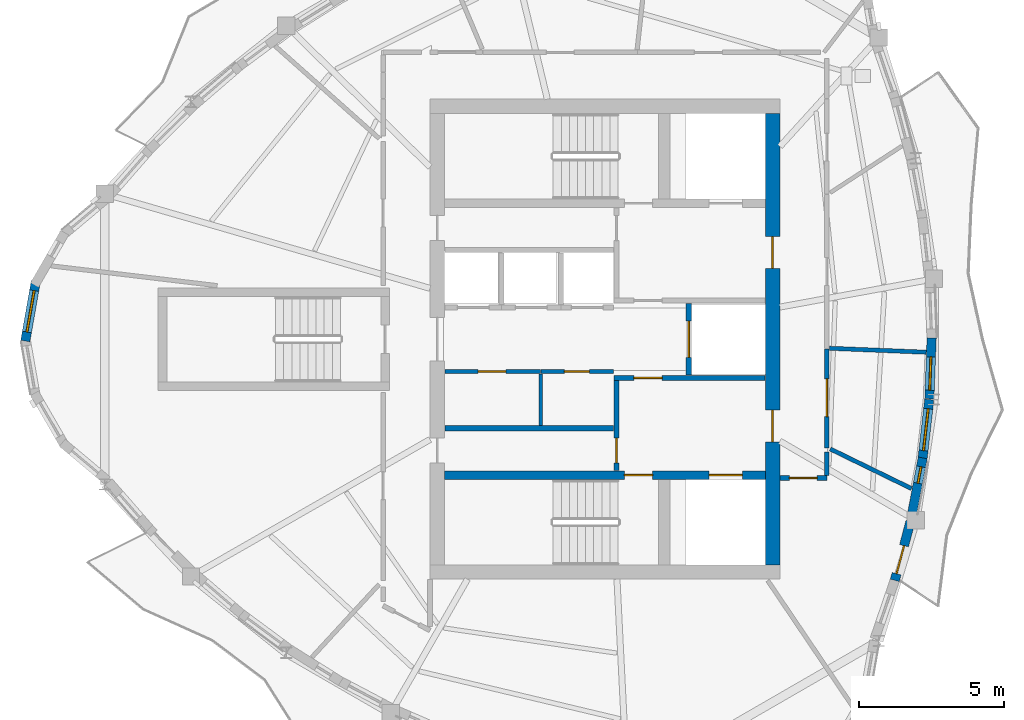
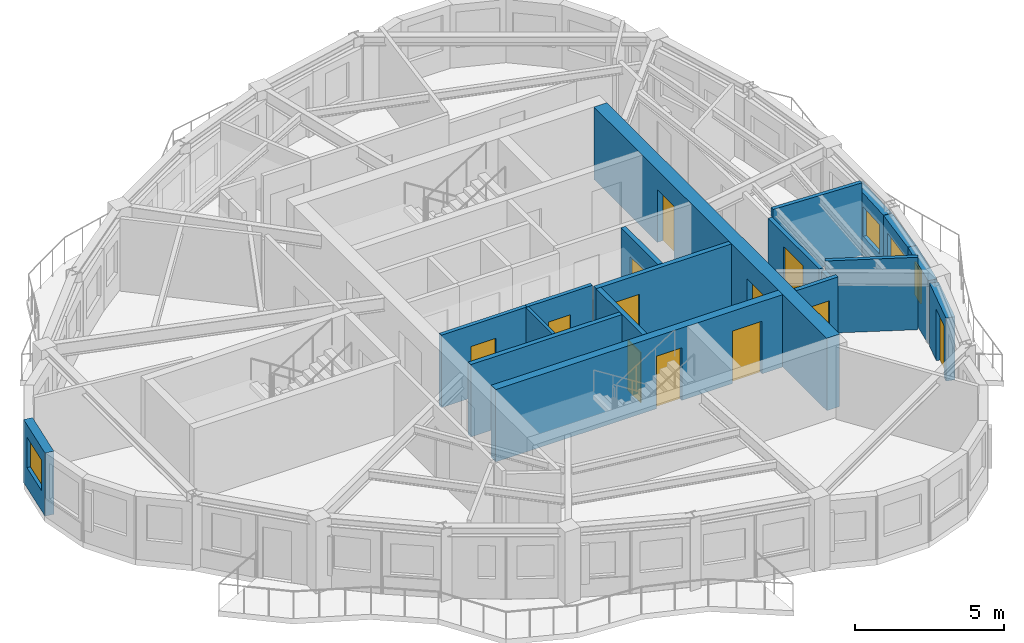
# One storey, part 4 of 11: 19 walls, 12 doors, 4 windows, 16 openings.
"""IFC4 building model written with IfcOpenShell, lengths in metres."""

from ifc_helpers import new_model, si_unit, direction, frame, frame_2d, origin, place, context, subcontext, project, spatial, rectangle, extrude, source, transform, mapped, material, layer, layer_set, type_object, element, fill, save


model = new_model("IFC4")

# Units and contexts
model_context = context("Model", 3, precision=1e-05, world=origin(), true_north=direction((0.0, 1.0)))
body_context = subcontext(model_context, "Body", "Model", "MODEL_VIEW")
ifc_project = project(units=[si_unit("LENGTHUNIT", "METRE"), si_unit("AREAUNIT", "SQUARE_METRE"), si_unit("VOLUMEUNIT", "CUBIC_METRE"), si_unit("PLANEANGLEUNIT", "RADIAN"), si_unit("MASSUNIT", "GRAM", prefix="KILO")], contexts=[model_context])

# Site, building, storey
site_placement = place(None, origin())
site = spatial("IfcSite", under=ifc_project, at=site_placement, CompositionType="ELEMENT")
building_placement = place(site_placement, origin())
building = spatial("IfcBuilding", under=site, at=building_placement, Name="Qafzar Sky-Pleat Residences", CompositionType="ELEMENT")
storey_placement = place(building_placement, frame((0.0, 0.0, 230.800048828125)))
storey = spatial("IfcBuildingStorey", under=building, at=storey_placement, Name="L69", CompositionType="ELEMENT", Elevation=230.800048828125)

# Wall, opening, door
ifc_material_1 = material(Name="Acoustic gypsum plasterboard partition", Category="gypsum")
ifc_layer_1 = layer(ifc_material_1, 0.159912109375)
ifc_layer_set_1 = layer_set([ifc_layer_1], Name="Acoustic gypsum plasterboard partition")
wall_type_1 = type_object("IfcWallType", Name="PART-COR-160", PredefinedType="PARTITIONING", material=ifc_layer_set_1)
wall_1_placement = place(storey_placement, frame((38.02001953125, 25.658935546875, 0.0), z_axis=(0.0, 0.0, 1.0), x_axis=(0.0, -1.0, 0.0)))
wall_1 = element("IfcWall", 1, at=wall_1_placement, inside=storey, type_object=wall_type_1, Name="L69 Partition Wall PART-L69-PW-006", PredefinedType="PARTITIONING", context=body_context, shape_type="SweptSolid", body=[
    extrude(rectangle(XDim=3.413818359375, YDim=0.159912109375, at=frame_2d((1.70703125, 0.0))), origin(), (0.0, 0.0, 1.0), 2.6279296875),
])
opening_1_placement = place(wall_1_placement, frame((1.033447265625, 0.0, 0.0)))
opening_1 = element("IfcOpeningElement", 2, at=opening_1_placement, cuts=wall_1, Name="Opening ID-05", PredefinedType="OPENING", context=body_context, shape_type="SweptSolid", body=[
    extrude(rectangle(XDim=1.300048828125, YDim=2.10009765625, at=frame_2d((0.64990234375, 1.050048828125))), frame((0.0, 0.08984375, 0.0), z_axis=(0.0, -1.0, 0.0), x_axis=(1.0, 0.0, 0.0)), (0.0, 0.0, 1.0), 0.179931640625),
])
ifc_material_2 = material(Name="Timber-faced fire door", Category="wood")
door_type_1 = type_object("IfcDoorType", Name="DR-LNG-1300", OperationType="DOUBLE_DOOR_SINGLE_SWING", PredefinedType="DOOR", material=ifc_material_2)
shared_shape_1 = source(origin(), body_context, "Body", "SweptSolid", [
    extrude(rectangle(XDim=1.300048828125, YDim=2.10009765625, at=frame_2d((0.64990234375, 1.050048828125))), frame((0.0, 0.02490234375, 0.0), z_axis=(0.0, -1.0, 0.0), x_axis=(1.0, 0.0, 0.0)), (0.0, 0.0, 1.0), 0.050048828125),
])
door_1_placement = place(opening_1_placement, origin())
door_1 = element("IfcDoor", 3, at=door_1_placement, inside=storey, type_object=door_type_1, Name="L69 Communal Kitchen Door", OperationType="DOUBLE_DOOR_SINGLE_SWING", OverallHeight=2.10009765625, OverallWidth=1.300048828125, PredefinedType="DOOR", context=body_context, shape_type="MappedRepresentation", body=[
    mapped(shared_shape_1, transform((0.0, 0.0, 0.0), x_axis=(1.0, 0.0, 0.0), y_axis=(0.0, 1.0, 0.0), z_axis=(0.0, 0.0, 1.0), scale=1.0)),
])
fill(opening_1, door_1)

wall_2_placement = place(storey_placement, frame((38.02001953125, 21.199951171875, 0.0), z_axis=(0.0, 0.0, 1.0), x_axis=(-1.0, 0.0, 0.0)))
wall_2 = element("IfcWall", 4, at=wall_2_placement, inside=storey, type_object=wall_type_1, Name="L69 Partition Wall PART-L69-PW-010", PredefinedType="PARTITIONING", context=body_context, shape_type="SweptSolid", body=[
    extrude(rectangle(XDim=1.612060546875, YDim=0.159912109375, at=frame_2d((0.80615234375, 0.0))), origin(), (0.0, 0.0, 1.0), 2.9599609375),
])
opening_2_placement = place(wall_2_placement, frame((0.330078125, 0.0, 0.0)))
opening_2 = element("IfcOpeningElement", 5, at=opening_2_placement, cuts=wall_2, Name="Opening ID-06", PredefinedType="OPENING", context=body_context, shape_type="SweptSolid", body=[
    extrude(rectangle(XDim=0.9599609375, YDim=2.10009765625, at=frame_2d((0.47998046875, 1.050048828125))), frame((0.0, 0.08984375, 0.0), z_axis=(0.0, -1.0, 0.0), x_axis=(1.0, 0.0, 0.0)), (0.0, 0.0, 1.0), 0.179931640625),
])
door_type_2 = type_object("IfcDoorType", Name="DR-STD-960", OperationType="NOTDEFINED", PredefinedType="DOOR", material=ifc_material_2)
shared_shape_2 = source(origin(), body_context, "Body", "SweptSolid", [
    extrude(rectangle(XDim=0.9599609375, YDim=2.10009765625, at=frame_2d((0.47998046875, 1.050048828125))), frame((0.0, 0.02490234375, 0.0), z_axis=(0.0, -1.0, 0.0), x_axis=(1.0, 0.0, 0.0)), (0.0, 0.0, 1.0), 0.050048828125),
])
door_2_placement = place(opening_2_placement, origin())
door_2 = element("IfcDoor", 6, at=door_2_placement, inside=storey, type_object=door_type_2, Name="L69 Quiet Prayer Room Door", OperationType="SINGLE_SWING_RIGHT", OverallHeight=2.10009765625, OverallWidth=0.9599609375, PredefinedType="DOOR", context=body_context, shape_type="MappedRepresentation", body=[
    mapped(shared_shape_2, transform((0.0, 0.0, 0.0), x_axis=(1.0, 0.0, 0.0), y_axis=(0.0, 1.0, 0.0), z_axis=(0.0, 0.0, 1.0), scale=1.0)),
])
fill(opening_2, door_2)

# Wall
wall_3_placement = place(storey_placement, frame((38.02001953125, 21.2880859375, 0.0), z_axis=(0.0, 0.0, 1.0), x_axis=(0.0, 1.0, 0.0)))
element("IfcWall", 7, at=wall_3_placement, inside=storey, type_object=wall_type_1, Name="L69 Partition Wall PART-L69-PW-026", PredefinedType="PARTITIONING", context=body_context, shape_type="SweptSolid", body=[
    extrude(rectangle(XDim=0.814208984375, YDim=0.159912109375, at=frame_2d((0.4072265625, 0.0))), origin(), (0.0, 0.0, 1.0), 2.6279296875),
])

# Wall, opening, door
ifc_material_3 = material(Name="Concrete blockwork partition", Category="masonry")
ifc_layer_2 = layer(ifc_material_3, 0.179931640625)
ifc_layer_set_2 = layer_set([ifc_layer_2], Name="Concrete blockwork partition")
wall_type_2 = type_object("IfcWallType", Name="PART-SHAFT-180", PredefinedType="PARTITIONING", material=ifc_layer_set_2)
wall_4_placement = place(storey_placement, frame((30.75, 21.4599609375, 0.0), z_axis=(0.0, 0.0, 1.0), x_axis=(0.0, 1.0, 0.0)))
wall_4 = element("IfcWall", 8, at=wall_4_placement, inside=storey, type_object=wall_type_2, Name="L69 Partition Wall PART-L69-FFL1-W", PredefinedType="PARTITIONING", context=body_context, shape_type="SweptSolid", body=[
    extrude(rectangle(XDim=3.110107421875, YDim=0.179931640625, at=frame_2d((1.55517578125, 0.0))), origin(), (0.0, 0.0, 1.0), 2.9599609375),
])
opening_3_placement = place(wall_4_placement, frame((0.260009765625, 0.0, 0.0)))
opening_3 = element("IfcOpeningElement", 9, at=opening_3_placement, cuts=wall_4, Name="Opening ID-09", PredefinedType="OPENING", context=body_context, shape_type="SweptSolid", body=[
    extrude(rectangle(XDim=0.860107421875, YDim=2.050048828125, at=frame_2d((0.43017578125, 1.02490234375))), frame((0.0, 0.10009765625, 0.0), z_axis=(0.0, -1.0, 0.0), x_axis=(1.0, 0.0, 0.0)), (0.0, 0.0, 1.0), 0.199951171875),
])
door_type_3 = type_object("IfcDoorType", Name="DR-SVC-860", OperationType="NOTDEFINED", PredefinedType="DOOR", material=ifc_material_2)
shared_shape_3 = source(origin(), body_context, "Body", "SweptSolid", [
    extrude(rectangle(XDim=0.860107421875, YDim=2.050048828125, at=frame_2d((0.43017578125, 1.02490234375))), frame((0.0, 0.02490234375, 0.0), z_axis=(0.0, -1.0, 0.0), x_axis=(1.0, 0.0, 0.0)), (0.0, 0.0, 1.0), 0.050048828125),
])
door_3_placement = place(opening_3_placement, origin())
door_3 = element("IfcDoor", 10, at=door_3_placement, inside=storey, type_object=door_type_3, Name="L69 South Core Cupboard Door", OperationType="SINGLE_SWING_LEFT", OverallHeight=2.050048828125, OverallWidth=0.860107421875, PredefinedType="DOOR", context=body_context, shape_type="MappedRepresentation", body=[
    mapped(shared_shape_3, transform((0.0, 0.0, 0.0), x_axis=(1.0, 0.0, 0.0), y_axis=(0.0, 1.0, 0.0), z_axis=(0.0, 0.0, 1.0), scale=1.0)),
])
fill(opening_3, door_3)

wall_5_placement = place(storey_placement, frame((30.669921875, 24.659912109375, 0.0), z_axis=(0.0, 0.0, 1.0), x_axis=(1.0, 0.0, 0.0)))
wall_5 = element("IfcWall", 11, at=wall_5_placement, inside=storey, type_object=wall_type_2, Name="L69 Partition Wall PART-L69-FFL1-N", PredefinedType="PARTITIONING", context=body_context, shape_type="SweptSolid", body=[
    extrude(rectangle(XDim=5.219970703125, YDim=0.179931640625, at=frame_2d((2.60986328125, 0.0))), origin(), (0.0, 0.0, 1.0), 2.9599609375),
])
opening_4_placement = place(wall_5_placement, frame((0.679931640625, 0.0, 0.0)))
opening_4 = element("IfcOpeningElement", 12, at=opening_4_placement, cuts=wall_5, Name="Opening ID-01", PredefinedType="OPENING", context=body_context, shape_type="SweptSolid", body=[
    extrude(rectangle(XDim=0.97998046875, YDim=2.14990234375, at=frame_2d((0.489990234375, 1.074951171875))), frame((0.0, 0.10009765625, 0.0), z_axis=(0.0, -1.0, 0.0), x_axis=(1.0, 0.0, 0.0)), (0.0, 0.0, 1.0), 0.199951171875),
])
door_type_4 = type_object("IfcDoorType", Name="DR-STAIR-980", OperationType="NOTDEFINED", PredefinedType="DOOR", material=ifc_material_2)
shared_shape_4 = source(origin(), body_context, "Body", "SweptSolid", [
    extrude(rectangle(XDim=0.97998046875, YDim=2.14990234375, at=frame_2d((0.489990234375, 1.074951171875))), frame((0.0, 0.02490234375, 0.0), z_axis=(0.0, -1.0, 0.0), x_axis=(1.0, 0.0, 0.0)), (0.0, 0.0, 1.0), 0.050048828125),
])
door_4_placement = place(opening_4_placement, origin())
door_4 = element("IfcDoor", 13, at=door_4_placement, inside=storey, type_object=door_type_4, Name="L69 Lift Lobby to South Firefighting Lobby Door", OperationType="SINGLE_SWING_RIGHT", OverallHeight=2.14990234375, OverallWidth=0.97998046875, PredefinedType="DOOR", context=body_context, shape_type="MappedRepresentation", body=[
    mapped(shared_shape_4, transform((0.0, 0.0, 0.0), x_axis=(1.0, 0.0, 0.0), y_axis=(0.0, 1.0, 0.0), z_axis=(0.0, 0.0, 1.0), scale=1.0)),
])
fill(opening_4, door_4)

wall_6_placement = place(storey_placement, frame((33.25, 24.760009765625, 0.0), z_axis=(0.0, 0.0, 1.0), x_axis=(0.0, 1.0, 0.0)))
wall_6 = element("IfcWall", 14, at=wall_6_placement, inside=storey, type_object=wall_type_2, Name="L69 Partition Wall PART-L69-SV1-W", PredefinedType="PARTITIONING", context=body_context, shape_type="SweptSolid", body=[
    extrude(rectangle(XDim=2.47998046875, YDim=0.179931640625, at=frame_2d((1.239990234375, 0.0))), origin(), (0.0, 0.0, 1.0), 2.9599609375),
])
opening_5_placement = place(wall_6_placement, frame((0.614990234375, 0.0, 0.0)))
opening_5 = element("IfcOpeningElement", 15, at=opening_5_placement, cuts=wall_6, Name="Opening LD-03", PredefinedType="OPENING", context=body_context, shape_type="SweptSolid", body=[
    extrude(rectangle(XDim=1.25, YDim=2.14990234375, at=frame_2d((0.625, 1.074951171875))), frame((0.0, 0.10009765625, 0.0), z_axis=(0.0, -1.0, 0.0), x_axis=(1.0, 0.0, 0.0)), (0.0, 0.0, 1.0), 0.199951171875),
])
ifc_material_4 = material(Name="Stainless steel sliding landing door", Category="steel")
door_type_5 = type_object("IfcDoorType", Name="DR-LIFT-SV", OperationType="DOUBLE_DOOR_SLIDING", PredefinedType="DOOR", material=ifc_material_4)
shared_shape_5 = source(origin(), body_context, "Body", "SweptSolid", [
    extrude(rectangle(XDim=1.25, YDim=2.14990234375, at=frame_2d((0.625, 1.074951171875))), frame((0.0, 0.02490234375, 0.0), z_axis=(0.0, -1.0, 0.0), x_axis=(1.0, 0.0, 0.0)), (0.0, 0.0, 1.0), 0.050048828125),
])
door_5_placement = place(opening_5_placement, origin())
door_5 = element("IfcDoor", 16, at=door_5_placement, inside=storey, type_object=door_type_5, Name="L69 Service Lift SV1 Landing Door", OperationType="DOUBLE_DOOR_SLIDING", OverallHeight=2.14990234375, OverallWidth=1.25, PredefinedType="DOOR", context=body_context, shape_type="MappedRepresentation", body=[
    mapped(shared_shape_5, transform((0.0, 0.0, 0.0), x_axis=(1.0, 0.0, 0.0), y_axis=(0.0, 1.0, 0.0), z_axis=(0.0, 0.0, 1.0), scale=1.0)),
])
fill(opening_5, door_5)

# Walls
wall_7_placement = place(storey_placement, frame((24.81005859375, 22.919921875, 0.0), z_axis=(0.0, 0.0, 1.0), x_axis=(1.0, 0.0, 0.0)))
element("IfcWall", 17, at=wall_7_placement, inside=storey, type_object=wall_type_2, Name="L69 Partition Wall PART-L69-P13-S", PredefinedType="PARTITIONING", context=body_context, shape_type="SweptSolid", body=[
    extrude(rectangle(XDim=5.83984375, YDim=0.179931640625, at=frame_2d((2.919921875, 0.0))), origin(), (0.0, 0.0, 1.0), 2.9599609375),
])
ifc_material_5 = material(Name="Gypsum plasterboard partition", Category="gypsum")
ifc_layer_3 = layer(ifc_material_5, 0.114990234375)
ifc_layer_set_3 = layer_set([ifc_layer_3], Name="Gypsum plasterboard partition")
wall_type_3 = type_object("IfcWallType", Name="PART-SVC-115", PredefinedType="PARTITIONING", material=ifc_layer_set_3)
wall_8_placement = place(storey_placement, frame((28.125, 23.02001953125, 0.0), z_axis=(0.0, 0.0, 1.0), x_axis=(0.0, 1.0, 0.0)))
element("IfcWall", 18, at=wall_8_placement, inside=storey, type_object=wall_type_3, Name="L69 Partition Wall PART-L69-RECLAIM-DIV", PredefinedType="PARTITIONING", context=body_context, shape_type="SweptSolid", body=[
    extrude(rectangle(XDim=1.77001953125, YDim=0.114990234375, at=frame_2d((0.885009765625, 0.0))), origin(), (0.0, 0.0, 1.0), 2.9599609375),
])

# Wall, opening, door
ifc_layer_4 = layer(ifc_material_1, 0.14501953125)
ifc_layer_set_4 = layer_set([ifc_layer_4], Name="Acoustic gypsum plasterboard partition")
wall_type_4 = type_object("IfcWallType", Name="PART-UNIT-145", PredefinedType="PARTITIONING", material=ifc_layer_set_4)
wall_9_placement = place(storey_placement, frame((24.81005859375, 24.8798828125, 0.0), z_axis=(0.0, 0.0, 1.0), x_axis=(1.0, 0.0, 0.0)))
wall_9 = element("IfcWall", 19, at=wall_9_placement, inside=storey, type_object=wall_type_4, Name="L69 Partition Wall PART-L69-RECLAIM-N1", PredefinedType="PARTITIONING", context=body_context, shape_type="SweptSolid", body=[
    extrude(rectangle(XDim=3.31005859375, YDim=0.14501953125, at=frame_2d((1.655029296875, 0.0))), origin(), (0.0, 0.0, 1.0), 2.9599609375),
])
opening_6_placement = place(wall_9_placement, frame((1.14990234375, 0.0, 0.0)))
opening_6 = element("IfcOpeningElement", 20, at=opening_6_placement, cuts=wall_9, Name="Opening ID-06", PredefinedType="OPENING", context=body_context, shape_type="SweptSolid", body=[
    extrude(rectangle(XDim=0.9599609375, YDim=2.10009765625, at=frame_2d((0.47998046875, 1.050048828125))), frame((0.0, 0.08251953125, 0.0), z_axis=(0.0, -1.0, 0.0), x_axis=(1.0, 0.0, 0.0)), (0.0, 0.0, 1.0), 0.1650390625),
])
door_6_placement = place(opening_6_placement, origin())
door_6 = element("IfcDoor", 21, at=door_6_placement, inside=storey, type_object=door_type_2, Name="L69 Reclaimed Quiet Study Room Door", OperationType="SINGLE_SWING_LEFT", OverallHeight=2.10009765625, OverallWidth=0.9599609375, PredefinedType="DOOR", context=body_context, shape_type="MappedRepresentation", body=[
    mapped(shared_shape_2, transform((0.0, 0.0, 0.0), x_axis=(1.0, 0.0, 0.0), y_axis=(0.0, 1.0, 0.0), z_axis=(0.0, 0.0, 1.0), scale=1.0)),
])
fill(opening_6, door_6)

wall_10_placement = place(storey_placement, frame((28.1298828125, 24.8798828125, 0.0), z_axis=(0.0, 0.0, 1.0), x_axis=(1.0, 0.0, 0.0)))
wall_10 = element("IfcWall", 22, at=wall_10_placement, inside=storey, type_object=wall_type_4, Name="L69 Partition Wall PART-L69-RECLAIM-N2", PredefinedType="PARTITIONING", context=body_context, shape_type="SweptSolid", body=[
    extrude(rectangle(XDim=2.52001953125, YDim=0.14501953125, at=frame_2d((1.260009765625, 0.0))), origin(), (0.0, 0.0, 1.0), 2.9599609375),
])
opening_7_placement = place(wall_10_placement, frame((0.820068359375, 0.0, 0.0)))
opening_7 = element("IfcOpeningElement", 23, at=opening_7_placement, cuts=wall_10, Name="Opening ID-09", PredefinedType="OPENING", context=body_context, shape_type="SweptSolid", body=[
    extrude(rectangle(XDim=0.860107421875, YDim=2.050048828125, at=frame_2d((0.43017578125, 1.02490234375))), frame((0.0, 0.08251953125, 0.0), z_axis=(0.0, -1.0, 0.0), x_axis=(1.0, 0.0, 0.0)), (0.0, 0.0, 1.0), 0.1650390625),
])
door_7_placement = place(opening_7_placement, origin())
door_7 = element("IfcDoor", 24, at=door_7_placement, inside=storey, type_object=door_type_3, Name="L69 Reclaimed Linen Cupboard Door", OperationType="SINGLE_SWING_RIGHT", OverallHeight=2.050048828125, OverallWidth=0.860107421875, PredefinedType="DOOR", context=body_context, shape_type="MappedRepresentation", body=[
    mapped(shared_shape_3, transform((0.0, 0.0, 0.0), x_axis=(1.0, 0.0, 0.0), y_axis=(0.0, 1.0, 0.0), z_axis=(0.0, 0.0, 1.0), scale=1.0)),
])
fill(opening_7, door_7)

# Walls
wall_11_placement = place(storey_placement, frame((38.11083984375, 25.685302734375, 0.0), z_axis=(0.0, 0.0, 1.0), x_axis=(0.999167325882, -0.040800182477, 0.0)))
element("IfcWall", 25, at=wall_11_placement, inside=storey, type_object=wall_type_4, Name="L69 Partition Wall PART-L69-PW-017", PredefinedType="PARTITIONING", context=body_context, shape_type="SweptSolid", body=[
    extrude(rectangle(XDim=3.350830078125, YDim=0.14501953125, at=frame_2d((1.67529296875, 0.0))), origin(), (0.0, 0.0, 1.0), 2.9599609375),
])
wall_12_placement = place(storey_placement, frame((38.138916015625, 22.2041015625, 0.0), z_axis=(0.0, 0.0, 1.0), x_axis=(0.898869860356, -0.43821567081, 0.0)))
element("IfcWall", 26, at=wall_12_placement, inside=storey, type_object=wall_type_4, Name="L69 Partition Wall PART-L69-PW-018", PredefinedType="PARTITIONING", context=body_context, shape_type="SweptSolid", body=[
    extrude(rectangle(XDim=3.122802734375, YDim=0.14501953125, at=frame_2d((1.5615234375, 0.0))), origin(), (0.0, 0.0, 1.0), 2.9599609375),
])

# Wall, opening, window
ifc_material_6 = material(Name="Precast concrete C40/50 with honed Riyadh limestone", Category="concrete")
ifc_layer_5 = layer(ifc_material_6, 0.320068359375)
ifc_layer_set_5 = layer_set([ifc_layer_5], Name="Precast concrete C40/50 with honed Riyadh limestone")
wall_type_5 = type_object("IfcWallType", Name="WALL-EXT-320", PredefinedType="SOLIDWALL", material=ifc_layer_set_5)
wall_13_placement = place(storey_placement, frame((10.6689453125, 27.993408203125, 0.0), z_axis=(0.0, 0.0, 1.0), x_axis=(-0.173672066494, -0.984803540469, 0.0)))
wall_13 = element("IfcWall", 27, at=wall_13_placement, inside=storey, type_object=wall_type_5, Name="L69 Limestone Facade Wall 3", PredefinedType="SOLIDWALL", context=body_context, shape_type="SweptSolid", body=[
    extrude(rectangle(XDim=2.09033203125, YDim=0.320068359375, at=frame_2d((1.045166015625, 0.0))), origin(), (0.0, 0.0, 1.0), 2.579833984375),
])
opening_8_placement = place(wall_13_placement, frame((0.3203125, 0.0, 0.820068359375)))
opening_8 = element("IfcOpeningElement", 28, at=opening_8_placement, cuts=wall_13, Name="Opening WN-15", PredefinedType="OPENING", context=body_context, shape_type="SweptSolid", body=[
    extrude(rectangle(XDim=1.449951171875, YDim=1.25, at=frame_2d((0.72509765625, 0.625))), frame((0.0, 0.169921875, 0.0), z_axis=(0.0, -1.0, 0.0), x_axis=(1.0, 0.0, 0.0)), (0.0, 0.0, 1.0), 0.340087890625),
])
ifc_material_7 = material(Name="Solar-control low-E glass in bronze aluminium frame", Category="glass")
window_type_1 = type_object("IfcWindowType", Name="WIN-15", PartitioningType="SINGLE_PANEL", PredefinedType="WINDOW", material=ifc_material_7)
shared_shape_6 = source(origin(), body_context, "Body", "SweptSolid", [
    extrude(rectangle(XDim=1.449951171875, YDim=1.25, at=frame_2d((0.72509765625, 0.625))), frame((0.0, 0.030029296875, 0.0), z_axis=(0.0, -1.0, 0.0), x_axis=(1.0, 0.0, 0.0)), (0.0, 0.0, 1.0), 0.06005859375),
])
window_1_placement = place(opening_8_placement, origin())
window_1 = element("IfcWindow", 29, at=window_1_placement, inside=storey, type_object=window_type_1, Name="L69 Punched Facade Window 03", OverallHeight=1.25, OverallWidth=1.449951171875, PartitioningType="SINGLE_PANEL", PredefinedType="WINDOW", context=body_context, shape_type="MappedRepresentation", body=[
    mapped(shared_shape_6, transform((0.0, 0.0, 0.0), x_axis=(1.0, 0.0, 0.0), y_axis=(0.0, 1.0, 0.0), z_axis=(0.0, 0.0, 1.0), scale=1.0)),
])
fill(opening_8, window_1)

# Wall, opening, door
wall_14_placement = place(storey_placement, frame((40.37158203125, 17.659423828125, 0.0), z_axis=(0.0, 0.0, 1.0), x_axis=(0.2570422776, 0.966400159109, 0.0)))
wall_14 = element("IfcWall", 30, at=wall_14_placement, inside=storey, type_object=wall_type_5, Name="L69 Limestone Facade Wall 24", PredefinedType="SOLIDWALL", context=body_context, shape_type="SweptSolid", body=[
    extrude(rectangle(XDim=2.106689453125, YDim=0.320068359375, at=frame_2d((1.05322265625, 0.0))), origin(), (0.0, 0.0, 1.0), 2.579833984375),
])
opening_9_placement = place(wall_14_placement, frame((0.239990234375, 0.0, 0.0)))
opening_9 = element("IfcOpeningElement", 31, at=opening_9_placement, cuts=wall_14, Name="Opening ED-05", PredefinedType="OPENING", context=body_context, shape_type="SweptSolid", body=[
    extrude(rectangle(XDim=1.0, YDim=2.10009765625, at=frame_2d((0.5, 1.050048828125))), frame((0.0, 0.169921875, 0.0), z_axis=(0.0, -1.0, 0.0), x_axis=(1.0, 0.0, 0.0)), (0.0, 0.0, 1.0), 0.340087890625),
])
ifc_material_8 = material(Name="Glazed bronze aluminium door", Category="aluminium")
door_type_6 = type_object("IfcDoorType", Name="DR-BAL-1000", OperationType="NOTDEFINED", PredefinedType="DOOR", material=ifc_material_8)
shared_shape_7 = source(origin(), body_context, "Body", "SweptSolid", [
    extrude(rectangle(XDim=1.0, YDim=2.10009765625, at=frame_2d((0.5, 1.050048828125))), frame((0.0, 0.02490234375, 0.0), z_axis=(0.0, -1.0, 0.0), x_axis=(1.0, 0.0, 0.0)), (0.0, 0.0, 1.0), 0.050048828125),
])
door_8_placement = place(opening_9_placement, origin())
door_8 = element("IfcDoor", 32, at=door_8_placement, inside=storey, type_object=door_type_6, Name="L69 Glazed Balcony Door 1", OperationType="SINGLE_SWING_LEFT", OverallHeight=2.10009765625, OverallWidth=1.0, PredefinedType="DOOR", context=body_context, shape_type="MappedRepresentation", body=[
    mapped(shared_shape_7, transform((0.0, 0.0, 0.0), x_axis=(1.0, 0.0, 0.0), y_axis=(0.0, 1.0, 0.0), z_axis=(0.0, 0.0, 1.0), scale=1.0)),
])
fill(opening_9, door_8)

# Wall, opening, window
wall_15_placement = place(storey_placement, frame((40.950439453125, 19.859619140625, 0.0), z_axis=(0.0, 0.0, 1.0), x_axis=(0.18667884524, 0.982420993638, 0.0)))
wall_15 = element("IfcWall", 33, at=wall_15_placement, inside=storey, type_object=wall_type_5, Name="L69 Limestone Facade Wall 25", PredefinedType="SOLIDWALL", context=body_context, shape_type="SweptSolid", body=[
    extrude(rectangle(XDim=2.071533203125, YDim=0.320068359375, at=frame_2d((1.03564453125, 0.0))), origin(), (0.0, 0.0, 1.0), 2.579833984375),
])
opening_10_placement = place(wall_15_placement, frame((1.179931640625, 0.0, 0.820068359375)))
opening_10 = element("IfcOpeningElement", 34, at=opening_10_placement, cuts=wall_15, Name="Opening WN-17", PredefinedType="OPENING", context=body_context, shape_type="SweptSolid", body=[
    extrude(rectangle(XDim=0.580078125, YDim=1.35009765625, at=frame_2d((0.2900390625, 0.675048828125))), frame((0.0, 0.169921875, 0.0), z_axis=(0.0, -1.0, 0.0), x_axis=(1.0, 0.0, 0.0)), (0.0, 0.0, 1.0), 0.340087890625),
])
window_type_2 = type_object("IfcWindowType", Name="WIN-17", PartitioningType="SINGLE_PANEL", PredefinedType="WINDOW", material=ifc_material_7)
shared_shape_8 = source(origin(), body_context, "Body", "SweptSolid", [
    extrude(rectangle(XDim=0.580078125, YDim=1.35009765625, at=frame_2d((0.2900390625, 0.675048828125))), frame((0.0, 0.030029296875, 0.0), z_axis=(0.0, -1.0, 0.0), x_axis=(1.0, 0.0, 0.0)), (0.0, 0.0, 1.0), 0.06005859375),
])
window_2_placement = place(opening_10_placement, origin())
window_2 = element("IfcWindow", 35, at=window_2_placement, inside=storey, type_object=window_type_2, Name="L69 Punched Facade Window 25-2", OverallHeight=1.35009765625, OverallWidth=0.580078125, PartitioningType="SINGLE_PANEL", PredefinedType="WINDOW", context=body_context, shape_type="MappedRepresentation", body=[
    mapped(shared_shape_8, transform((0.0, 0.0, 0.0), x_axis=(1.0, 0.0, 0.0), y_axis=(0.0, 1.0, 0.0), z_axis=(0.0, 0.0, 1.0), scale=1.0)),
])
fill(opening_10, window_2)

wall_16_placement = place(storey_placement, frame((41.323974609375, 21.807861328125, 0.0), z_axis=(0.0, 0.0, 1.0), x_axis=(0.113315758547, 0.993559026362, 0.0)))
wall_16 = element("IfcWall", 36, at=wall_16_placement, inside=storey, type_object=wall_type_5, Name="L69 Limestone Facade Wall 26", PredefinedType="SOLIDWALL", context=body_context, shape_type="SweptSolid", body=[
    extrude(rectangle(XDim=2.117919921875, YDim=0.320068359375, at=frame_2d((1.05908203125, 0.0))), origin(), (0.0, 0.0, 1.0), 2.579833984375),
])
opening_11_placement = place(wall_16_placement, frame((0.343994140625, 0.0, 0.820068359375)))
opening_11 = element("IfcOpeningElement", 37, at=opening_11_placement, cuts=wall_16, Name="Opening WN-15", PredefinedType="OPENING", context=body_context, shape_type="SweptSolid", body=[
    extrude(rectangle(XDim=1.449951171875, YDim=1.25, at=frame_2d((0.72509765625, 0.625))), frame((0.0, 0.169921875, 0.0), z_axis=(0.0, -1.0, 0.0), x_axis=(1.0, 0.0, 0.0)), (0.0, 0.0, 1.0), 0.340087890625),
])
window_3_placement = place(opening_11_placement, origin())
window_3 = element("IfcWindow", 38, at=window_3_placement, inside=storey, type_object=window_type_1, Name="L69 Punched Facade Window 26", OverallHeight=1.25, OverallWidth=1.449951171875, PartitioningType="SINGLE_PANEL", PredefinedType="WINDOW", context=body_context, shape_type="MappedRepresentation", body=[
    mapped(shared_shape_6, transform((0.0, 0.0, 0.0), x_axis=(1.0, 0.0, 0.0), y_axis=(0.0, 1.0, 0.0), z_axis=(0.0, 0.0, 1.0), scale=1.0)),
])
fill(opening_11, window_3)

wall_17_placement = place(storey_placement, frame((41.566162109375, 23.939697265625, 0.0), z_axis=(0.0, 0.0, 1.0), x_axis=(0.037912160544, 0.999281075615, 0.0)))
wall_17 = element("IfcWall", 39, at=wall_17_placement, inside=storey, type_object=wall_type_5, Name="L69 Limestone Facade Wall 27", PredefinedType="SOLIDWALL", context=body_context, shape_type="SweptSolid", body=[
    extrude(rectangle(XDim=2.105712890625, YDim=0.320068359375, at=frame_2d((1.052734375, 0.0))), origin(), (0.0, 0.0, 1.0), 2.579833984375),
])
opening_12_placement = place(wall_17_placement, frame((0.296875, 0.0, 0.820068359375)))
opening_12 = element("IfcOpeningElement", 40, at=opening_12_placement, cuts=wall_17, Name="Opening WN-16", PredefinedType="OPENING", context=body_context, shape_type="SweptSolid", body=[
    extrude(rectangle(XDim=1.14990234375, YDim=1.199951171875, at=frame_2d((0.574951171875, 0.60009765625))), frame((0.0, 0.169921875, 0.0), z_axis=(0.0, -1.0, 0.0), x_axis=(1.0, 0.0, 0.0)), (0.0, 0.0, 1.0), 0.340087890625),
])
window_type_3 = type_object("IfcWindowType", Name="WIN-16", PartitioningType="SINGLE_PANEL", PredefinedType="WINDOW", material=ifc_material_7)
shared_shape_9 = source(origin(), body_context, "Body", "SweptSolid", [
    extrude(rectangle(XDim=1.14990234375, YDim=1.199951171875, at=frame_2d((0.574951171875, 0.60009765625))), frame((0.0, 0.030029296875, 0.0), z_axis=(0.0, -1.0, 0.0), x_axis=(1.0, 0.0, 0.0)), (0.0, 0.0, 1.0), 0.06005859375),
])
window_4_placement = place(opening_12_placement, origin())
window_4 = element("IfcWindow", 41, at=window_4_placement, inside=storey, type_object=window_type_3, Name="L69 Punched Facade Window 27", OverallHeight=1.199951171875, OverallWidth=1.14990234375, PartitioningType="SINGLE_PANEL", PredefinedType="WINDOW", context=body_context, shape_type="MappedRepresentation", body=[
    mapped(shared_shape_9, transform((0.0, 0.0, 0.0), x_axis=(1.0, 0.0, 0.0), y_axis=(0.0, 1.0, 0.0), z_axis=(0.0, 0.0, 1.0), scale=1.0)),
])
fill(opening_12, window_4)

# Wall, openings, doors
ifc_material_9 = material(Name="Concrete C60/75", Category="concrete")
ifc_layer_6 = layer(ifc_material_9, 0.300048828125)
ifc_layer_set_6 = layer_set([ifc_layer_6], Name="Concrete C60/75")
wall_type_6 = type_object("IfcWallType", Name="WALL-SHEAR-300", PredefinedType="SHEAR", material=ifc_layer_set_6)
wall_18_placement = place(storey_placement, frame((24.800048828125, 21.300048828125, 0.0), z_axis=(0.0, 0.0, 1.0), x_axis=(1.0, 0.0, 0.0)))
wall_18 = element("IfcWall", 42, at=wall_18_placement, inside=storey, type_object=wall_type_6, Name="L69 Stair ST1 and FF1 Shaft North Wall", PredefinedType="SHEAR", context=body_context, shape_type="SweptSolid", body=[
    extrude(rectangle(XDim=11.099853515625, YDim=0.300048828125, at=frame_2d((5.5498046875, 0.0))), origin(), (0.0, 0.0, 1.0), 2.9599609375),
])
opening_13_placement = place(wall_18_placement, frame((6.219970703125, 0.0, 0.0)))
opening_13 = element("IfcOpeningElement", 43, at=opening_13_placement, cuts=wall_18, Name="Opening ID-01", PredefinedType="OPENING", context=body_context, shape_type="SweptSolid", body=[
    extrude(rectangle(XDim=0.97998046875, YDim=2.14990234375, at=frame_2d((0.489990234375, 1.074951171875))), frame((0.0, 0.16015625, 0.0), z_axis=(0.0, -1.0, 0.0), x_axis=(1.0, 0.0, 0.0)), (0.0, 0.0, 1.0), 0.320068359375),
])
opening_14_placement = place(wall_18_placement, frame((9.14990234375, 0.0, 0.0)))
opening_14 = element("IfcOpeningElement", 44, at=opening_14_placement, cuts=wall_18, Name="Opening LD-02", PredefinedType="OPENING", context=body_context, shape_type="SweptSolid", body=[
    extrude(rectangle(XDim=1.14990234375, YDim=2.14990234375, at=frame_2d((0.574951171875, 1.074951171875))), frame((0.0, 0.16015625, 0.0), z_axis=(0.0, -1.0, 0.0), x_axis=(1.0, 0.0, 0.0)), (0.0, 0.0, 1.0), 0.320068359375),
])
door_9_placement = place(opening_13_placement, origin())
door_9 = element("IfcDoor", 45, at=door_9_placement, inside=storey, type_object=door_type_4, Name="L69 Stair ST1 Fire Door", OperationType="SINGLE_SWING_RIGHT", OverallHeight=2.14990234375, OverallWidth=0.97998046875, PredefinedType="DOOR", context=body_context, shape_type="MappedRepresentation", body=[
    mapped(shared_shape_4, transform((0.0, 0.0, 0.0), x_axis=(1.0, 0.0, 0.0), y_axis=(0.0, 1.0, 0.0), z_axis=(0.0, 0.0, 1.0), scale=1.0)),
])
fill(opening_13, door_9)
door_type_7 = type_object("IfcDoorType", Name="DR-LIFT-FF", OperationType="DOUBLE_DOOR_SLIDING", PredefinedType="DOOR", material=ifc_material_4)
shared_shape_10 = source(origin(), body_context, "Body", "SweptSolid", [
    extrude(rectangle(XDim=1.14990234375, YDim=2.14990234375, at=frame_2d((0.574951171875, 1.074951171875))), frame((0.0, 0.02490234375, 0.0), z_axis=(0.0, -1.0, 0.0), x_axis=(1.0, 0.0, 0.0)), (0.0, 0.0, 1.0), 0.050048828125),
])
door_10_placement = place(opening_14_placement, origin())
door_10 = element("IfcDoor", 46, at=door_10_placement, inside=storey, type_object=door_type_7, Name="L69 Firefighting Lift FF1 Landing Door", OperationType="DOUBLE_DOOR_SLIDING", OverallHeight=2.14990234375, OverallWidth=1.14990234375, PredefinedType="DOOR", context=body_context, shape_type="MappedRepresentation", body=[
    mapped(shared_shape_10, transform((0.0, 0.0, 0.0), x_axis=(1.0, 0.0, 0.0), y_axis=(0.0, 1.0, 0.0), z_axis=(0.0, 0.0, 1.0), scale=1.0)),
])
fill(opening_14, door_10)

ifc_layer_7 = layer(ifc_material_9, 0.5)
ifc_layer_set_7 = layer_set([ifc_layer_7], Name="Concrete C60/75")
wall_type_7 = type_object("IfcWallType", Name="WALL-SHEAR-500", PredefinedType="SHEAR", material=ifc_layer_set_7)
wall_19_placement = place(storey_placement, frame((36.14990234375, 18.199951171875, 0.0), z_axis=(0.0, 0.0, 1.0), x_axis=(0.0, 1.0, 0.0)))
wall_19 = element("IfcWall", 47, at=wall_19_placement, inside=storey, type_object=wall_type_7, Name="L69 CORE wall E", PredefinedType="SHEAR", context=body_context, shape_type="SweptSolid", body=[
    extrude(rectangle(XDim=15.60009765625, YDim=0.5, at=frame_2d((7.800048828125, 0.0))), origin(), (0.0, 0.0, 1.0), 2.9599609375),
])
opening_15_placement = place(wall_19_placement, frame((4.25, 0.0, 0.0)))
opening_15 = element("IfcOpeningElement", 48, at=opening_15_placement, cuts=wall_19, Name="Opening ID-02", PredefinedType="OPENING", context=body_context, shape_type="SweptSolid", body=[
    extrude(rectangle(XDim=1.10009765625, YDim=2.14990234375, at=frame_2d((0.550048828125, 1.074951171875))), frame((0.0, 0.260009765625, 0.0), z_axis=(0.0, -1.0, 0.0), x_axis=(1.0, 0.0, 0.0)), (0.0, 0.0, 1.0), 0.52001953125),
])
opening_16_placement = place(wall_19_placement, frame((10.25, 0.0, 0.0)))
opening_16 = element("IfcOpeningElement", 49, at=opening_16_placement, cuts=wall_19, Name="Opening ID-02", PredefinedType="OPENING", context=body_context, shape_type="SweptSolid", body=[
    extrude(rectangle(XDim=1.10009765625, YDim=2.14990234375, at=frame_2d((0.550048828125, 1.074951171875))), frame((0.0, 0.260009765625, 0.0), z_axis=(0.0, -1.0, 0.0), x_axis=(1.0, 0.0, 0.0)), (0.0, 0.0, 1.0), 0.52001953125),
])
door_type_8 = type_object("IfcDoorType", Name="DR-FFL-1100", OperationType="NOTDEFINED", PredefinedType="DOOR", material=ifc_material_2)
shared_shape_11 = source(origin(), body_context, "Body", "SweptSolid", [
    extrude(rectangle(XDim=1.10009765625, YDim=2.14990234375, at=frame_2d((0.550048828125, 1.074951171875))), frame((0.0, 0.02490234375, 0.0), z_axis=(0.0, -1.0, 0.0), x_axis=(1.0, 0.0, 0.0)), (0.0, 0.0, 1.0), 0.050048828125),
])
door_11_placement = place(opening_15_placement, origin())
door_11 = element("IfcDoor", 50, at=door_11_placement, inside=storey, type_object=door_type_8, Name="L69 Firefighting Lobby South Corridor Door", OperationType="SINGLE_SWING_LEFT", OverallHeight=2.14990234375, OverallWidth=1.10009765625, PredefinedType="DOOR", context=body_context, shape_type="MappedRepresentation", body=[
    mapped(shared_shape_11, transform((0.0, 0.0, 0.0), x_axis=(1.0, 0.0, 0.0), y_axis=(0.0, 1.0, 0.0), z_axis=(0.0, 0.0, 1.0), scale=1.0)),
])
fill(opening_15, door_11)
door_12_placement = place(opening_16_placement, origin())
door_12 = element("IfcDoor", 51, at=door_12_placement, inside=storey, type_object=door_type_8, Name="L69 Firefighting Lobby North Corridor Door", OperationType="SINGLE_SWING_RIGHT", OverallHeight=2.14990234375, OverallWidth=1.10009765625, PredefinedType="DOOR", context=body_context, shape_type="MappedRepresentation", body=[
    mapped(shared_shape_11, transform((0.0, 0.0, 0.0), x_axis=(1.0, 0.0, 0.0), y_axis=(0.0, 1.0, 0.0), z_axis=(0.0, 0.0, 1.0), scale=1.0)),
])
fill(opening_16, door_12)

save(model, "model.ifc")
